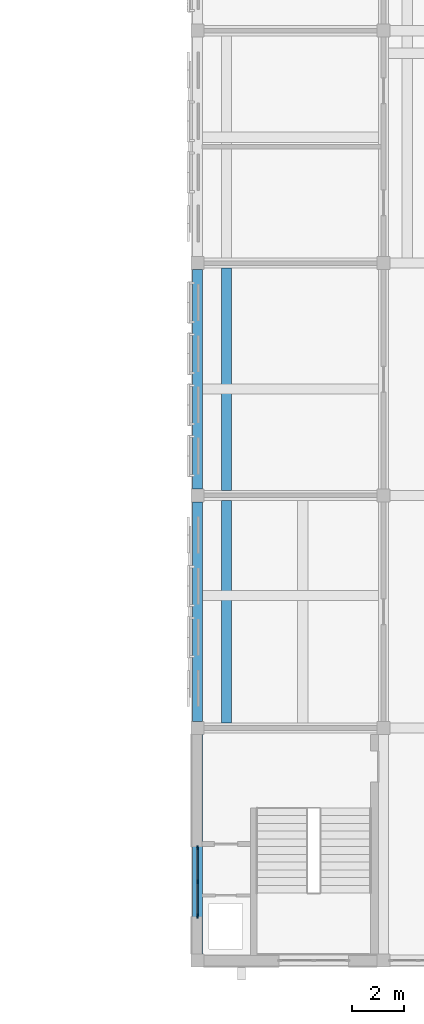
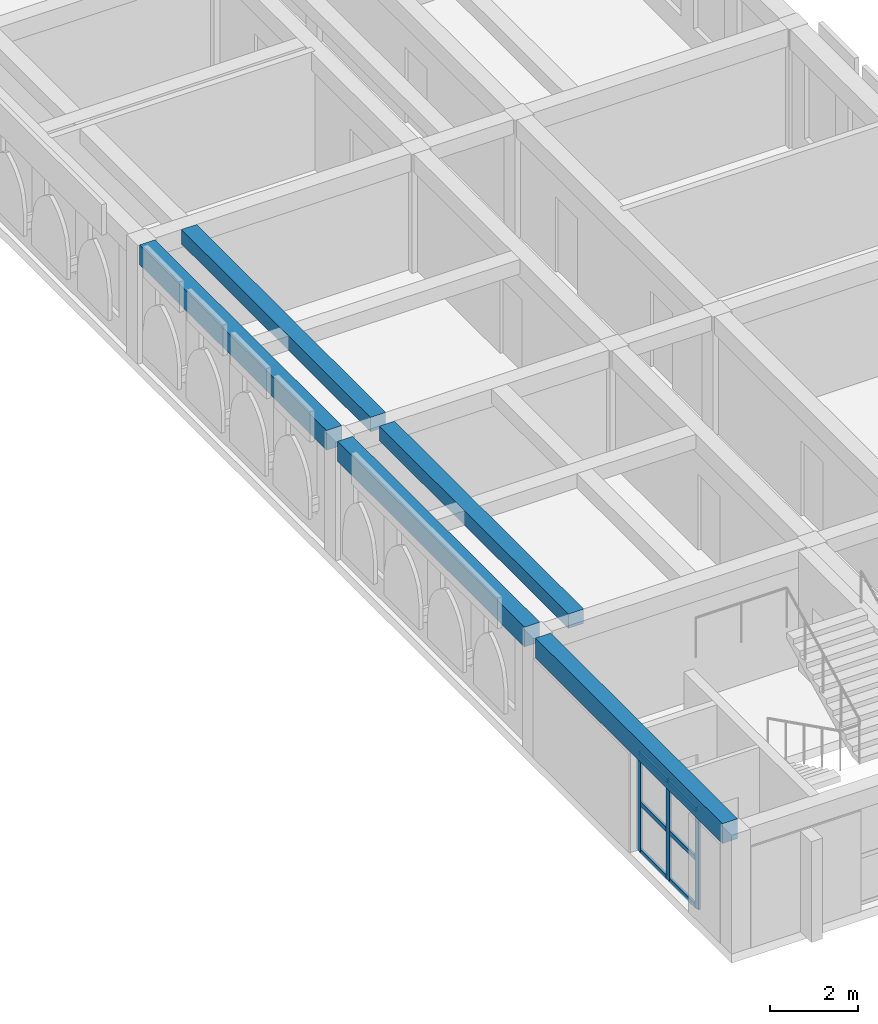
# One storey, part 5 of 50: 9 members, 5 beams, 1 element without a shape of its own.
"""IFC4 building model written with IfcOpenShell, lengths in metres."""

from ifc_helpers import new_model, si_unit, direction, frame, origin, origin_2d, place, context, subcontext, project, spatial, rectangle, extrude, material, layer, layer_set, material_profile, profile_set, type_object, element, aggregate, save


model = new_model("IFC4")

# Units and contexts
model_context = context("Model", 3, precision=1e-05, world=origin(), true_north=direction((0.0, 1.0)))
body_context = subcontext(model_context, "Body", "Model", "MODEL_VIEW")
ifc_project = project(units=[si_unit("LENGTHUNIT", "METRE"), si_unit("AREAUNIT", "SQUARE_METRE"), si_unit("VOLUMEUNIT", "CUBIC_METRE"), si_unit("PLANEANGLEUNIT", "RADIAN"), si_unit("MASSUNIT", "GRAM", prefix="KILO")], contexts=[model_context])

# Site, building, storey
site_placement = place(None, origin())
site = spatial("IfcSite", under=ifc_project, at=site_placement, CompositionType="ELEMENT")
building_placement = place(site_placement, origin())
building = spatial("IfcBuilding", under=site, at=building_placement, Name="Elbe Cascade School", CompositionType="ELEMENT")
storey_placement = place(building_placement, frame((0.0, 0.0, 15.300048828125)))
storey = spatial("IfcBuildingStorey", under=building, at=storey_placement, Name="L04", CompositionType="ELEMENT", Elevation=15.300048828125)

# Curtain wall, members
ifc_material_1 = material(Name="Aluminium frame with double glazing, bronze anodised", Category="aluminium")
ifc_layer = layer(ifc_material_1, 0.159912109375)
ifc_layer_set = layer_set([ifc_layer], Name="Aluminium frame with double glazing, bronze anodised")
curtain_wall_type = type_object("IfcCurtainWallType", Name="Bars envelope Curtain wall, aluminium, bronze anodised, storey-high slot", PredefinedType="NOTDEFINED", material=ifc_layer_set)
curtain_wall_placement = place(storey_placement, origin())
curtain_wall = element("IfcCurtainWall", 1, at=curtain_wall_placement, inside=storey, type_object=curtain_wall_type, Name="Curtain wall CW4 A.L04.w1", PredefinedType="NOTDEFINED")
ifc_material_2 = material(Name="Aluminium mullion, bronze anodised", Category="aluminium")
ifc_material_profile_1 = material_profile(ifc_material_2, rectangle(XDim=0.06005859375, YDim=0.159912109375, at=origin_2d()), Name="Bars envelope Curtain wall mullion 60 x 160, aluminium, storey-high slot")
ifc_profile_set_1 = profile_set([ifc_material_profile_1], Name="Aluminium mullion, bronze anodised")
member_type_1 = type_object("IfcMemberType", Name="Bars envelope Curtain wall mullion 60 x 160, aluminium, storey-high slot", PredefinedType="MULLION", material=ifc_profile_set_1)
member_1_placement = place(storey_placement, frame((69.0, 7.719970703125, 0.0), z_axis=(0.0, 0.0, 1.0), x_axis=(-1.0, 0.0, 0.0)))
member_1 = element("IfcMember", 2, at=member_1_placement, type_object=member_type_1, Name="CW4 mullion 1", PredefinedType="MULLION", context=body_context, shape_type="SweptSolid", body=[
    extrude(rectangle(XDim=0.06005859375, YDim=0.159912109375, at=origin_2d()), origin(), (0.0, 0.0, 1.0), 2.75),
])
member_2_placement = place(storey_placement, frame((69.0, 9.0400390625, 0.0), z_axis=(0.0, 0.0, 1.0), x_axis=(-1.0, 0.0, 0.0)))
member_2 = element("IfcMember", 3, at=member_2_placement, type_object=member_type_1, Name="CW4 mullion 2", PredefinedType="MULLION", context=body_context, shape_type="SweptSolid", body=[
    extrude(rectangle(XDim=0.06005859375, YDim=0.159912109375, at=origin_2d()), origin(), (0.0, 0.0, 1.0), 2.75),
])
member_3_placement = place(storey_placement, frame((69.0, 10.360107421875, 0.0), z_axis=(0.0, 0.0, 1.0), x_axis=(-1.0, 0.0, 0.0)))
member_3 = element("IfcMember", 4, at=member_3_placement, type_object=member_type_1, Name="CW4 mullion 3", PredefinedType="MULLION", context=body_context, shape_type="SweptSolid", body=[
    extrude(rectangle(XDim=0.06005859375, YDim=0.159912109375, at=origin_2d()), origin(), (0.0, 0.0, 1.0), 2.75),
])
ifc_material_3 = material(Name="Aluminium transom, bronze anodised", Category="aluminium")
ifc_material_profile_2 = material_profile(ifc_material_3, rectangle(XDim=0.06005859375, YDim=0.1201171875, at=origin_2d()), Name="Bars envelope Curtain wall transom 60 x 120, aluminium, storey-high slot")
ifc_profile_set_2 = profile_set([ifc_material_profile_2], Name="Aluminium transom, bronze anodised")
member_type_2 = type_object("IfcMemberType", Name="Bars envelope Curtain wall transom 60 x 120, aluminium, storey-high slot", PredefinedType="USERDEFINED", material=ifc_profile_set_2)
member_4_placement = place(storey_placement, frame((69.0, 7.75, 0.030029296875), z_axis=(0.0, 1.0, 0.0), x_axis=(-1.0, 0.0, 0.0)))
member_4 = element("IfcMember", 5, at=member_4_placement, type_object=member_type_2, Name="CW4 transom 1.1", ObjectType="TRANSOM", PredefinedType="USERDEFINED", context=body_context, shape_type="SweptSolid", body=[
    extrude(rectangle(XDim=0.06005859375, YDim=0.1201171875, at=origin_2d()), origin(), (0.0, 0.0, 1.0), 1.260009765625),
])
member_5_placement = place(storey_placement, frame((69.0, 7.75, 1.349853515625), z_axis=(0.0, 1.0, 0.0), x_axis=(-1.0, 0.0, 0.0)))
member_5 = element("IfcMember", 6, at=member_5_placement, type_object=member_type_2, Name="CW4 transom 1.2", ObjectType="TRANSOM", PredefinedType="USERDEFINED", context=body_context, shape_type="SweptSolid", body=[
    extrude(rectangle(XDim=0.06005859375, YDim=0.1201171875, at=origin_2d()), origin(), (0.0, 0.0, 1.0), 1.260009765625),
])
member_6_placement = place(storey_placement, frame((69.0, 7.75, 2.719970703125), z_axis=(0.0, 1.0, 0.0), x_axis=(-1.0, 0.0, 0.0)))
member_6 = element("IfcMember", 7, at=member_6_placement, type_object=member_type_2, Name="CW4 transom 1.3", ObjectType="TRANSOM", PredefinedType="USERDEFINED", context=body_context, shape_type="SweptSolid", body=[
    extrude(rectangle(XDim=0.06005859375, YDim=0.1201171875, at=origin_2d()), origin(), (0.0, 0.0, 1.0), 1.260009765625),
])
member_7_placement = place(storey_placement, frame((69.0, 9.070068359375, 0.030029296875), z_axis=(0.0, 1.0, 0.0), x_axis=(-1.0, 0.0, 0.0)))
member_7 = element("IfcMember", 8, at=member_7_placement, type_object=member_type_2, Name="CW4 transom 2.1", ObjectType="TRANSOM", PredefinedType="USERDEFINED", context=body_context, shape_type="SweptSolid", body=[
    extrude(rectangle(XDim=0.06005859375, YDim=0.1201171875, at=origin_2d()), origin(), (0.0, 0.0, 1.0), 1.260009765625),
])
member_8_placement = place(storey_placement, frame((69.0, 9.070068359375, 1.349853515625), z_axis=(0.0, 1.0, 0.0), x_axis=(-1.0, 0.0, 0.0)))
member_8 = element("IfcMember", 9, at=member_8_placement, type_object=member_type_2, Name="CW4 transom 2.2", ObjectType="TRANSOM", PredefinedType="USERDEFINED", context=body_context, shape_type="SweptSolid", body=[
    extrude(rectangle(XDim=0.06005859375, YDim=0.1201171875, at=origin_2d()), origin(), (0.0, 0.0, 1.0), 1.260009765625),
])
member_9_placement = place(storey_placement, frame((69.0, 9.070068359375, 2.719970703125), z_axis=(0.0, 1.0, 0.0), x_axis=(-1.0, 0.0, 0.0)))
member_9 = element("IfcMember", 10, at=member_9_placement, type_object=member_type_2, Name="CW4 transom 2.3", ObjectType="TRANSOM", PredefinedType="USERDEFINED", context=body_context, shape_type="SweptSolid", body=[
    extrude(rectangle(XDim=0.06005859375, YDim=0.1201171875, at=origin_2d()), origin(), (0.0, 0.0, 1.0), 1.260009765625),
])
aggregate(curtain_wall, [member_1, member_2, member_3, member_4, member_5, member_6, member_7, member_8, member_9])

# Beams
ifc_material_4 = material(Name="Concrete C30/37", Category="concrete")
ifc_material_profile_3 = material_profile(ifc_material_4, rectangle(XDim=0.39990234375, YDim=0.39990234375, at=origin_2d()), Name="RC 400x400")
ifc_profile_set_3 = profile_set([ifc_material_profile_3], Name="Concrete C30/37")
beam_type_1 = type_object("IfcBeamType", Name="RC 400x400 beam", PredefinedType="BEAM", material=ifc_profile_set_3)
for number, where, z_axis, x_axis, name in (
    (11, (70.125, 24.199951171875, 3.099853515625), (0.0, 1.0, 0.0), (-1.0, 0.0, 0.0), "RC 400x400 beam B5"),
    (12, (70.125, 15.199951171875, 3.099853515625), (0.0, 1.0, 0.0), (-1.0, 0.0, 0.0), "RC 400x400 beam B5"),
):
    element("IfcBeam", number, at=place(storey_placement, frame(where, z_axis=z_axis, x_axis=x_axis)), inside=storey, type_object=beam_type_1, Name=name, PredefinedType="BEAM", context=body_context, shape_type="SweptSolid", body=[
        extrude(rectangle(XDim=0.39990234375, YDim=0.39990234375, at=origin_2d()), origin(), (0.0, 0.0, 1.0), 8.60009765625),
    ])
ifc_material_5 = material(Name="Concrete C30/37", Category="concrete")
ifc_material_profile_4 = material_profile(ifc_material_5, rectangle(XDim=0.39990234375, YDim=0.550048828125, at=origin_2d()), Name="RC 400x550")
ifc_profile_set_4 = profile_set([ifc_material_profile_4], Name="Concrete C30/37")
beam_type_2 = type_object("IfcBeamType", Name="RC 400x550 beam", PredefinedType="BEAM", material=ifc_profile_set_4)
for number, where, z_axis, x_axis, name in (
    (13, (69.0, 6.25, 3.02490234375), (0.0, 1.0, 0.0), (-1.0, 0.0, 0.0), "RC 400x550 beam B4"),
    (14, (69.0, 15.25, 3.02490234375), (0.0, 1.0, 0.0), (-1.0, 0.0, 0.0), "RC 400x550 beam B4"),
    (15, (69.0, 24.25, 3.02490234375), (0.0, 1.0, 0.0), (-1.0, 0.0, 0.0), "RC 400x550 beam B4"),
):
    element("IfcBeam", number, at=place(storey_placement, frame(where, z_axis=z_axis, x_axis=x_axis)), inside=storey, type_object=beam_type_2, Name=name, PredefinedType="BEAM", context=body_context, shape_type="SweptSolid", body=[
        extrude(rectangle(XDim=0.39990234375, YDim=0.550048828125, at=origin_2d()), origin(), (0.0, 0.0, 1.0), 8.5),
    ])

save(model, "model.ifc")
